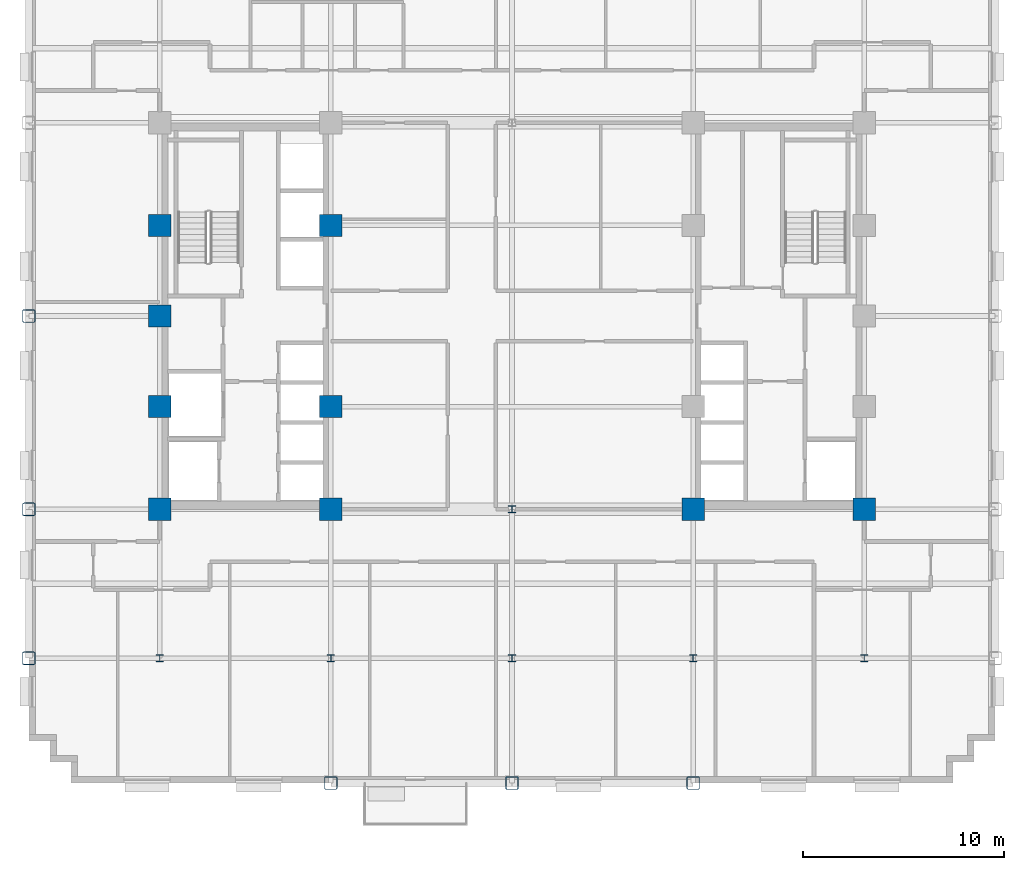
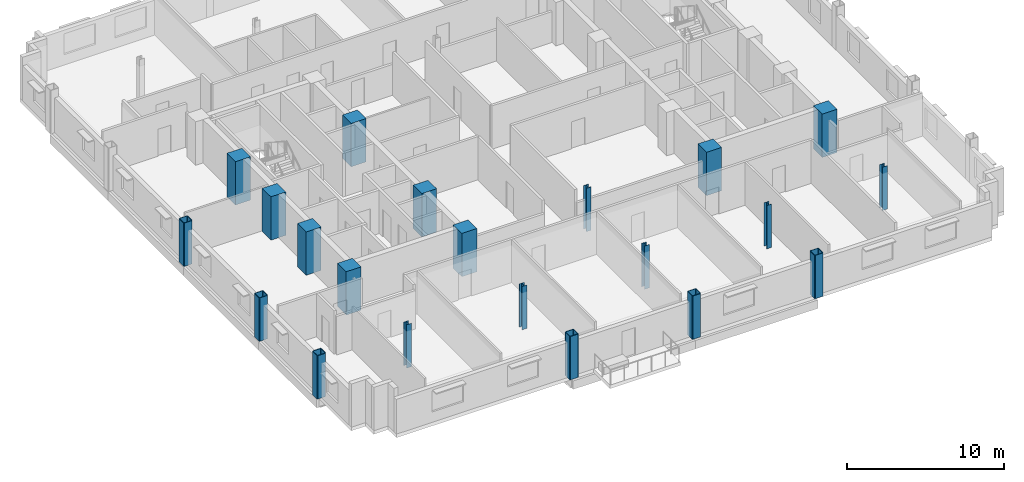
# One storey, part 1 of 14: 21 columns.
"""IFC4 building model written with IfcOpenShell, lengths in metres."""

from ifc_helpers import new_model, si_unit, direction, frame, origin, origin_2d, place, context, subcontext, project, spatial, rectangle, hollow_rectangle, i_section, extrude, material, material_profile, profile_set, type_object, element, save


model = new_model("IFC4")

# Units and contexts
model_context = context("Model", 3, precision=1e-05, world=origin(), true_north=direction((0.0, 1.0)))
body_context = subcontext(model_context, "Body", "Model", "MODEL_VIEW")
ifc_project = project(units=[si_unit("LENGTHUNIT", "METRE"), si_unit("AREAUNIT", "SQUARE_METRE"), si_unit("VOLUMEUNIT", "CUBIC_METRE"), si_unit("PLANEANGLEUNIT", "RADIAN"), si_unit("MASSUNIT", "GRAM", prefix="KILO")], contexts=[model_context])

# Site, building, storey
site_placement = place(None, origin())
site = spatial("IfcSite", under=ifc_project, at=site_placement, CompositionType="ELEMENT")
building_placement = place(site_placement, origin())
building = spatial("IfcBuilding", under=site, at=building_placement, Name="Nuvemarco Arch Tower", CompositionType="ELEMENT")
storey_placement = place(building_placement, frame((0.0, 0.0, 98.300048828125)))
storey = spatial("IfcBuildingStorey", under=building, at=storey_placement, Name="L25", CompositionType="ELEMENT", Elevation=98.300048828125)

# Columns
ifc_material_1 = material(Name="Concrete C60/75", Category="concrete")
ifc_material_profile_1 = material_profile(ifc_material_1, rectangle(XDim=1.10009765625, YDim=1.10009765625, at=origin_2d()), Name="RC-COL-1100x1100")
ifc_profile_set_1 = profile_set([ifc_material_profile_1], Name="Concrete C60/75")
column_type_1 = type_object("IfcColumnType", Name="COL-CORE-1100", PredefinedType="COLUMN", material=ifc_profile_set_1)
for number, where, z_axis, x_axis, name in (
    (1, (-17.5, -9.60009765625, 0.0), (0.0, 0.0, 1.0), (1.0, 0.0, 0.0), "L25 column CC_-17.5_-9.6"),
    (2, (-17.5, -4.5, 0.0), (0.0, 0.0, 1.0), (1.0, 0.0, 0.0), "L25 column CC_-17.5_-4.5"),
    (3, (-17.5, 4.5, 0.0), (0.0, 0.0, 1.0), (1.0, 0.0, 0.0), "L25 column CC_-17.5_+4.5"),
    (4, (-9.0, -9.60009765625, 0.0), (0.0, 0.0, 1.0), (1.0, 0.0, 0.0), "L25 column CC_-9.0_-9.6"),
    (5, (-9.0, -4.5, 0.0), (0.0, 0.0, 1.0), (1.0, 0.0, 0.0), "L25 column CC_-9.0_-4.5"),
    (6, (-9.0, 4.5, 0.0), (0.0, 0.0, 1.0), (1.0, 0.0, 0.0), "L25 column CC_-9.0_+4.5"),
    (7, (9.0, -9.60009765625, 0.0), (0.0, 0.0, 1.0), (1.0, 0.0, 0.0), "L25 column CC_+9.0_-9.6"),
    (8, (17.5, -9.60009765625, 0.0), (0.0, 0.0, 1.0), (1.0, 0.0, 0.0), "L25 column CC_+17.5_-9.6"),
    (9, (-17.5, 0.0, 0.0), (0.0, 0.0, 1.0), (1.0, 0.0, 0.0), "L25 column CC_-17.5_+0.0"),
):
    element("IfcColumn", number, at=place(storey_placement, frame(where, z_axis=z_axis, x_axis=x_axis)), inside=storey, type_object=column_type_1, Name=name, PredefinedType="COLUMN", context=body_context, shape_type="SweptSolid", body=[
        extrude(rectangle(XDim=1.10009765625, YDim=1.10009765625, at=origin_2d()), origin(), (0.0, 0.0, 1.0), 3.369873046875),
    ])
ifc_material_2 = material(Name="Steel S355", Category="steel")
ifc_material_profile_2 = material_profile(ifc_material_2, hollow_rectangle(XDim=0.64990234375, YDim=0.64990234375, WallThickness=0.0400390625, InnerFilletRadius=0.0400390625, OuterFilletRadius=0.080078125, at=origin_2d()), Name="SHS650x650x40")
ifc_profile_set_2 = profile_set([ifc_material_profile_2], Name="Steel S355")
column_type_2 = type_object("IfcColumnType", Name="COL-EXO-650", PredefinedType="COLUMN", material=ifc_profile_set_2)
for number, where, z_axis, x_axis, name in (
    (10, (-24.0, -17.0, 0.0), (0.0, 0.0, 1.0), (1.0, 0.0, 0.0), "L25 column CX_-24.0_-17.0"),
    (11, (-24.0, -9.60009765625, 0.0), (0.0, 0.0, 1.0), (1.0, 0.0, 0.0), "L25 column CX_-24.0_-9.6"),
    (12, (-24.0, 0.0, 0.0), (0.0, 0.0, 1.0), (1.0, 0.0, 0.0), "L25 column CX_-24.0_+0.0"),
    (13, (-9.0, -23.199951171875, 0.0), (0.0, 0.0, 1.0), (1.0, 0.0, 0.0), "L25 column CY_-9.0_-23.2"),
    (14, (0.0, -23.199951171875, 0.0), (0.0, 0.0, 1.0), (1.0, 0.0, 0.0), "L25 column CY_+0.0_-23.2"),
    (15, (9.0, -23.199951171875, 0.0), (0.0, 0.0, 1.0), (1.0, 0.0, 0.0), "L25 column CY_+9.0_-23.2"),
):
    element("IfcColumn", number, at=place(storey_placement, frame(where, z_axis=z_axis, x_axis=x_axis)), inside=storey, type_object=column_type_2, Name=name, PredefinedType="COLUMN", context=body_context, shape_type="SweptSolid", body=[
        extrude(hollow_rectangle(XDim=0.64990234375, YDim=0.64990234375, WallThickness=0.0400390625, InnerFilletRadius=0.0400390625, OuterFilletRadius=0.080078125, at=origin_2d()), origin(), (0.0, 0.0, 1.0), 3.369873046875),
    ])
ifc_material_profile_3 = material_profile(ifc_material_2, i_section(OverallWidth=0.360107421875, OverallDepth=0.360107421875, WebThickness=0.0205078125, FlangeThickness=0.0205078125, FilletRadius=0.01806640625, at=origin_2d()), Name="HP360x174")
ifc_profile_set_3 = profile_set([ifc_material_profile_3], Name="Steel S355")
column_type_3 = type_object("IfcColumnType", Name="COL-STL-HP360", PredefinedType="COLUMN", material=ifc_profile_set_3)
for number, where, z_axis, x_axis, name in (
    (16, (0.0, -17.0, 0.0), (0.0, 0.0, 1.0), (1.0, 0.0, 0.0), "L25 column CI_+0.0_-17.0"),
    (17, (0.0, -9.60009765625, 0.0), (0.0, 0.0, 1.0), (1.0, 0.0, 0.0), "L25 column CI_+0.0_-9.6"),
    (18, (-17.5, -17.0, 0.0), (0.0, 0.0, 1.0), (1.0, 0.0, 0.0), "L25 column CI_-17.5_-17.0"),
    (19, (-9.0, -17.0, 0.0), (0.0, 0.0, 1.0), (1.0, 0.0, 0.0), "L25 column CI_-9.0_-17.0"),
    (20, (9.0, -17.0, 0.0), (0.0, 0.0, 1.0), (1.0, 0.0, 0.0), "L25 column CI_+9.0_-17.0"),
    (21, (17.5, -17.0, 0.0), (0.0, 0.0, 1.0), (1.0, 0.0, 0.0), "L25 column CI_+17.5_-17.0"),
):
    element("IfcColumn", number, at=place(storey_placement, frame(where, z_axis=z_axis, x_axis=x_axis)), inside=storey, type_object=column_type_3, Name=name, PredefinedType="COLUMN", context=body_context, shape_type="SweptSolid", body=[
        extrude(i_section(OverallWidth=0.360107421875, OverallDepth=0.360107421875, WebThickness=0.0205078125, FlangeThickness=0.0205078125, FilletRadius=0.01806640625, at=origin_2d()), origin(), (0.0, 0.0, 1.0), 3.369873046875),
    ])

save(model, "model.ifc")
